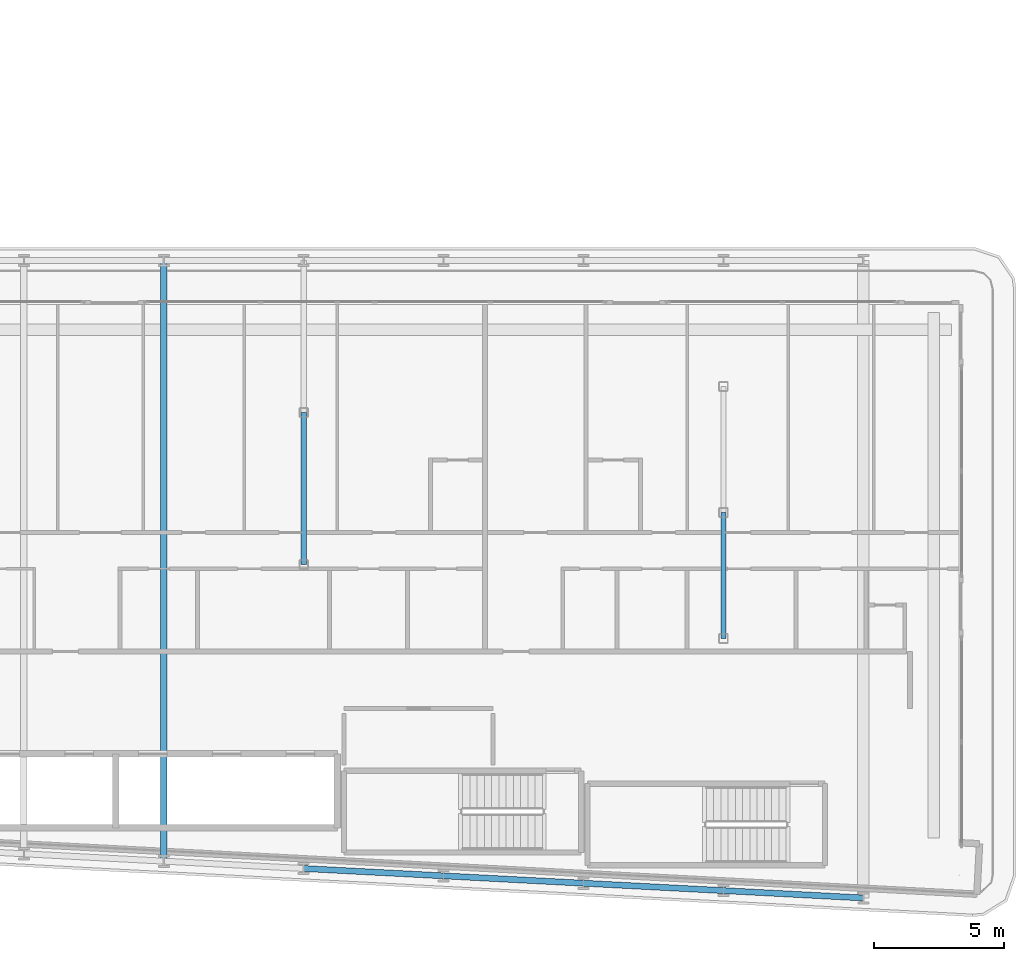
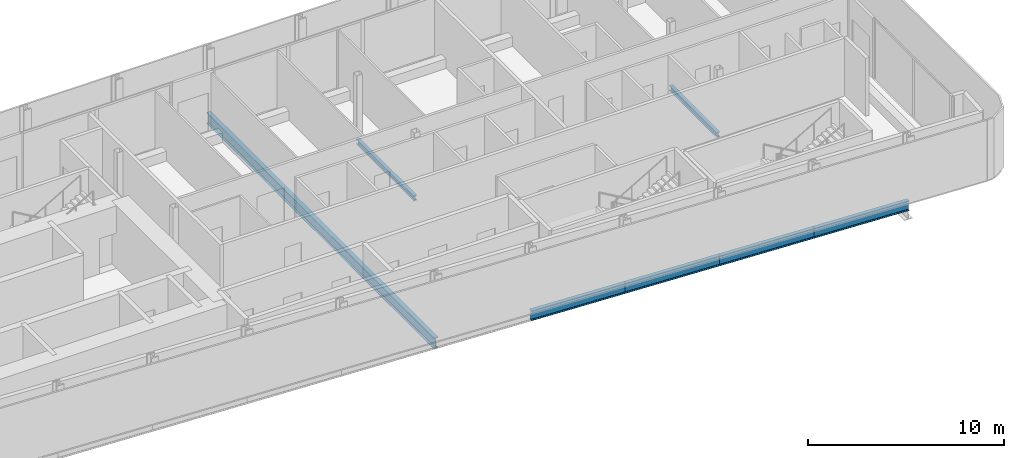
# One storey, part 5 of 27: 7 beams.
"""IFC4 building model written with IfcOpenShell, lengths in metres."""

from ifc_helpers import new_model, si_unit, direction, frame, origin, origin_2d, place, context, subcontext, project, spatial, i_section, extrude, material, material_profile, profile_set, type_object, element, save


model = new_model("IFC4")

# Units and contexts
model_context = context("Model", 3, precision=1e-05, world=origin(), true_north=direction((0.0, 1.0)))
body_context = subcontext(model_context, "Body", "Model", "MODEL_VIEW")
ifc_project = project(units=[si_unit("LENGTHUNIT", "METRE"), si_unit("AREAUNIT", "SQUARE_METRE"), si_unit("VOLUMEUNIT", "CUBIC_METRE"), si_unit("PLANEANGLEUNIT", "RADIAN"), si_unit("MASSUNIT", "GRAM", prefix="KILO")], contexts=[model_context])

# Site, building, storey
site_placement = place(None, origin())
site = spatial("IfcSite", under=ifc_project, at=site_placement, CompositionType="ELEMENT")
building_placement = place(site_placement, origin())
building = spatial("IfcBuilding", under=site, at=building_placement, Name="Kheshtan School and Residences Tower", CompositionType="ELEMENT")
storey_placement = place(building_placement, frame((0.0, 0.0, 46.10009765625)))
storey = spatial("IfcBuildingStorey", under=building, at=storey_placement, Name="L10", CompositionType="ELEMENT", Elevation=46.10009765625)

# Beams
ifc_material = material(Name="Steel ASTM A992 Grade 50", Category="steel")
ifc_material_profile_1 = material_profile(ifc_material, i_section(OverallWidth=0.202880859375, OverallDepth=0.302978515625, WebThickness=0.007568359375, FlangeThickness=0.01318359375, FilletRadius=0.009033203125, at=origin_2d()), Name="W310x60")
ifc_profile_set_1 = profile_set([ifc_material_profile_1], Name="Steel ASTM A992 Grade 50")
beam_type_1 = type_object("IfcBeamType", Name="Beam FB1 W310x60 ASTM A992 Grade 50", PredefinedType="BEAM", material=ifc_profile_set_1)
beam_1_placement = place(storey_placement, frame((85.39990234375, 31.0048828125, -0.301513671875), z_axis=(0.0, 1.0, 0.0), x_axis=(-1.0, 0.0, 0.0)))
element("IfcBeam", 1, at=beam_1_placement, inside=storey, type_object=beam_type_1, Name="Floor beam IC", PredefinedType="BEAM", context=body_context, shape_type="SweptSolid", body=[
    extrude(i_section(OverallWidth=0.202880859375, OverallDepth=0.302978515625, WebThickness=0.007568359375, FlangeThickness=0.01318359375, FilletRadius=0.009033203125, at=origin_2d()), origin(), (0.0, 0.0, 1.0), 4.865234375),
])
beam_2_placement = place(storey_placement, frame((69.199951171875, 33.863037109375, -0.301513671875), z_axis=(0.0, 1.0, 0.0), x_axis=(-1.0, 0.0, 0.0)))
element("IfcBeam", 2, at=beam_2_placement, inside=storey, type_object=beam_type_1, Name="Floor beam IC", PredefinedType="BEAM", context=body_context, shape_type="SweptSolid", body=[
    extrude(i_section(OverallWidth=0.202880859375, OverallDepth=0.302978515625, WebThickness=0.007568359375, FlangeThickness=0.01318359375, FilletRadius=0.009033203125, at=origin_2d()), origin(), (0.0, 0.0, 1.0), 5.868896484375),
])
ifc_material_profile_2 = material_profile(ifc_material, i_section(OverallWidth=0.2529296875, OverallDepth=0.677978515625, WebThickness=0.01171875, FlangeThickness=0.016357421875, FilletRadius=0.0146484375, at=origin_2d()), Name="W690x125")
ifc_profile_set_2 = profile_set([ifc_material_profile_2], Name="Steel ASTM A992 Grade 50")
beam_type_2 = type_object("IfcBeamType", Name="Beam FB6 W690x125 ASTM A992 Grade 50", PredefinedType="BEAM", material=ifc_profile_set_2)
beam_3_placement = place(storey_placement, frame((63.800048828125, 22.410888671875, -0.489013671875), z_axis=(0.0, 1.0, 0.0), x_axis=(-1.0, 0.0, 0.0)))
element("IfcBeam", 3, at=beam_3_placement, inside=storey, type_object=beam_type_2, Name="Floor beam C016", PredefinedType="BEAM", context=body_context, shape_type="SweptSolid", body=[
    extrude(i_section(OverallWidth=0.2529296875, OverallDepth=0.677978515625, WebThickness=0.01171875, FlangeThickness=0.016357421875, FilletRadius=0.0146484375, at=origin_2d()), origin(), (0.0, 0.0, 1.0), 23.189208984375),
])
ifc_material_profile_3 = material_profile(ifc_material, i_section(OverallWidth=0.22998046875, OverallDepth=0.616943359375, WebThickness=0.01318359375, FlangeThickness=0.022216796875, FilletRadius=0.0185546875, at=origin_2d()), Name="W610x140")
ifc_profile_set_3 = profile_set([ifc_material_profile_3], Name="Steel ASTM A992 Grade 50")
beam_type_3 = type_object("IfcBeamType", Name="Beam SP1 W610x140 ASTM A992 Grade 50", PredefinedType="BEAM", material=ifc_profile_set_3)
beam_4_placement = place(storey_placement, frame((90.800048828125, 20.989990234375, -0.45849609375), z_axis=(-0.998620571751, 0.05250670125, 0.0), x_axis=(-0.05250670125, -0.998620571751, 0.0)))
element("IfcBeam", 4, at=beam_4_placement, inside=storey, type_object=beam_type_3, Name="Spandrel beam C006-C008", PredefinedType="BEAM", context=body_context, shape_type="SweptSolid", body=[
    extrude(i_section(OverallWidth=0.22998046875, OverallDepth=0.616943359375, WebThickness=0.01318359375, FlangeThickness=0.022216796875, FilletRadius=0.0185546875, at=origin_2d()), origin(), (0.0, 0.0, 1.0), 5.40771484375),
])
for number, where, z_axis, x_axis, name in (
    (5, (85.39990234375, 21.27392578125, -0.45849609375), (-0.998618078766, 0.052554093665, 0.0), (-0.052554093665, -0.998618078766, 0.0), "Spandrel beam C008-C012"),
    (6, (80.0, 21.55810546875, -0.45849609375), (-0.998610961136, 0.052689166816, 0.0), (-0.052689166816, -0.998610961136, 0.0), "Spandrel beam C012-C013"),
):
    element("IfcBeam", number, at=place(storey_placement, frame(where, z_axis=z_axis, x_axis=x_axis)), inside=storey, type_object=beam_type_3, Name=name, PredefinedType="BEAM", context=body_context, shape_type="SweptSolid", body=[
        extrude(i_section(OverallWidth=0.22998046875, OverallDepth=0.616943359375, WebThickness=0.01318359375, FlangeThickness=0.022216796875, FilletRadius=0.0185546875, at=origin_2d()), origin(), (0.0, 0.0, 1.0), 5.407470703125),
    ])
beam_5_placement = place(storey_placement, frame((74.60009765625, 21.843017578125, -0.45849609375), z_axis=(-0.998620571751, 0.05250670125, 0.0), x_axis=(-0.05250670125, -0.998620571751, 0.0)))
element("IfcBeam", 7, at=beam_5_placement, inside=storey, type_object=beam_type_3, Name="Spandrel beam C013-C014", PredefinedType="BEAM", context=body_context, shape_type="SweptSolid", body=[
    extrude(i_section(OverallWidth=0.22998046875, OverallDepth=0.616943359375, WebThickness=0.01318359375, FlangeThickness=0.022216796875, FilletRadius=0.0185546875, at=origin_2d()), origin(), (0.0, 0.0, 1.0), 5.40771484375),
])

save(model, "model.ifc")
